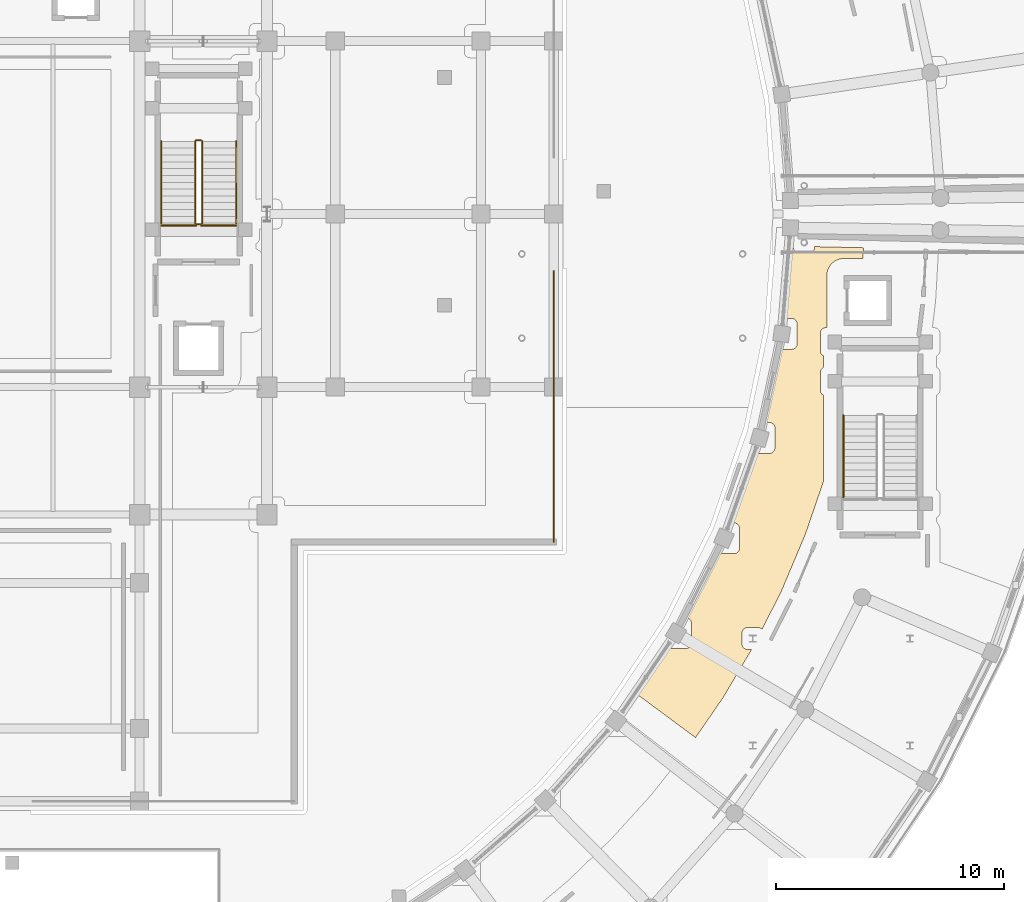
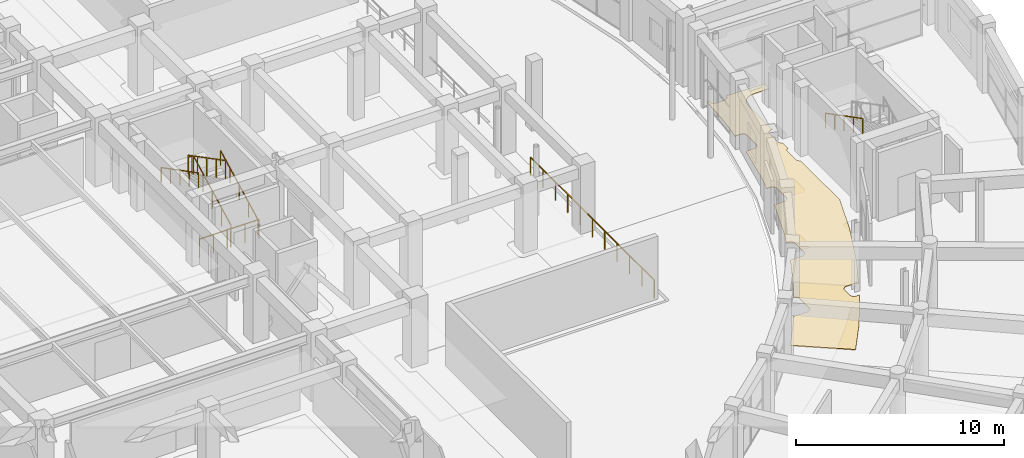
# One storey, part 81 of 87: 10 railings, 1 covering.
"""IFC4 building model written with IfcOpenShell, lengths in metres."""

from ifc_helpers import new_model, si_unit, direction, frame, origin, origin_2d, place, context, subcontext, project, spatial, polyline, rectangle, outline, extrude, material, layer, layer_set, type_object, element, save


model = new_model("IFC4")

# Units and contexts
model_context = context("Model", 3, precision=1e-05, world=origin(), true_north=direction((0.0, 1.0)))
body_context = subcontext(model_context, "Body", "Model", "MODEL_VIEW")
ifc_project = project(units=[si_unit("LENGTHUNIT", "METRE"), si_unit("AREAUNIT", "SQUARE_METRE"), si_unit("VOLUMEUNIT", "CUBIC_METRE"), si_unit("PLANEANGLEUNIT", "RADIAN"), si_unit("MASSUNIT", "GRAM", prefix="KILO")], contexts=[model_context])

# Site, building, storey
site_placement = place(None, origin())
site = spatial("IfcSite", under=ifc_project, at=site_placement, CompositionType="ELEMENT")
building_placement = place(site_placement, origin())
building = spatial("IfcBuilding", under=site, at=building_placement, Name="Saryqyr Civic Hall", CompositionType="ELEMENT")
storey_placement = place(building_placement, frame((0.0, 0.0, 5.10009765625)))
storey = spatial("IfcBuildingStorey", under=building, at=storey_placement, Name="L01", CompositionType="ELEMENT", Elevation=5.10009765625)

# Covering
ifc_material_1 = material(Name="Polished terrazzo tile", Category="stone")
ifc_layer_1 = layer(ifc_material_1, 0.030029296875, Name="Polished terrazzo tile")
ifc_layer_set_1 = layer_set([ifc_layer_1], Name="Polished terrazzo tile")
covering_type = type_object("IfcCoveringType", Name="INT-COV-FLR-30", PredefinedType="FLOORING", material=ifc_layer_set_1)
covering_placement = place(storey_placement, origin())
element("IfcCovering", 1, at=covering_placement, inside=storey, type_object=covering_type, Name="Polished terrazzo flooring Exhibition Curatorial Forum", PredefinedType="FLOORING", context=body_context, shape_type="SweptSolid", body=[
    extrude(outline(polyline([(91.938720703125, 65.773193359375), (91.9189453125, 65.787841796875), (91.897705078125, 65.800537109375), (91.875732421875, 65.81103515625), (91.8525390625, 65.819091796875), (91.828857421875, 65.8251953125), (91.804443359375, 65.828857421875), (91.780029296875, 65.830078125), (91.320068359375, 65.830078125), (91.29541015625, 65.828857421875), (91.271240234375, 65.8251953125), (91.247314453125, 65.819091796875), (91.224365234375, 65.81103515625), (91.2021484375, 65.800537109375), (91.18115234375, 65.787841796875), (91.161376953125, 65.773193359375), (91.143310546875, 65.7568359375), (91.126708984375, 65.738525390625), (91.112060546875, 65.718994140625), (91.099609375, 65.69775390625), (91.089111328125, 65.67578125), (91.080810546875, 65.652587890625), (91.07470703125, 65.62890625), (91.0712890625, 65.6044921875), (91.070068359375, 65.580078125), (91.070068359375, 65.1201171875), (91.0712890625, 65.095458984375), (91.07470703125, 65.0712890625), (91.080810546875, 65.04736328125), (91.089111328125, 65.0244140625), (91.099609375, 65.002197265625), (91.112060546875, 64.981201171875), (91.126708984375, 64.96142578125), (91.143310546875, 64.943115234375), (91.161376953125, 64.9267578125), (91.18115234375, 64.912109375), (91.2021484375, 64.8994140625), (91.224365234375, 64.888916015625), (91.247314453125, 64.880859375), (91.271240234375, 64.874755859375), (91.29541015625, 64.87109375), (91.320068359375, 64.8701171875), (91.4931640625, 64.8701171875), (90.233154296875, 62.74365234375), (89.03125, 60.99853515625), (86.475830078125, 62.89013671875), (87.544189453125, 64.44140625), (87.564453125, 64.472900390625), (87.82275390625, 64.908935546875), (88.598388671875, 64.908935546875), (88.623046875, 64.91015625), (88.647216796875, 64.913818359375), (88.671142578125, 64.919921875), (88.694091796875, 64.927978515625), (88.71630859375, 64.9384765625), (88.7373046875, 64.951171875), (88.757080078125, 64.9658203125), (88.775390625, 64.982177734375), (88.791748046875, 65.00048828125), (88.806396484375, 65.02001953125), (88.819091796875, 65.041259765625), (88.82958984375, 65.063232421875), (88.837646484375, 65.08642578125), (88.84375, 65.110107421875), (88.847412109375, 65.134521484375), (88.848388671875, 65.158935546875), (88.848388671875, 66.01904296875), (88.847412109375, 66.04345703125), (88.84375, 66.06787109375), (88.837646484375, 66.091552734375), (88.82958984375, 66.11474609375), (88.819091796875, 66.13671875), (88.806396484375, 66.157958984375), (88.791748046875, 66.177490234375), (88.775390625, 66.19580078125), (88.757080078125, 66.21240234375), (88.7373046875, 66.226806640625), (88.71630859375, 66.239501953125), (88.694091796875, 66.25), (88.671142578125, 66.25830078125), (88.647216796875, 66.26416015625), (88.627685546875, 66.26708984375), (88.805908203125, 66.56787109375), (88.823974609375, 66.6005859375), (89.919677734375, 68.775390625), (89.935302734375, 68.809326171875), (90.049072265625, 69.07958984375), (90.71142578125, 69.07958984375), (90.73583984375, 69.080810546875), (90.76025390625, 69.08447265625), (90.783935546875, 69.09033203125), (90.80712890625, 69.0986328125), (90.8291015625, 69.109130859375), (90.850341796875, 69.12158203125), (90.8701171875, 69.13623046875), (90.88818359375, 69.15283203125), (90.90478515625, 69.1708984375), (90.919189453125, 69.190673828125), (90.931884765625, 69.2119140625), (90.9423828125, 69.23388671875), (90.95068359375, 69.257080078125), (90.95654296875, 69.28076171875), (90.960205078125, 69.30517578125), (90.96142578125, 69.32958984375), (90.96142578125, 70.189697265625), (90.960205078125, 70.214111328125), (90.95654296875, 70.23828125), (90.95068359375, 70.26220703125), (90.9423828125, 70.285400390625), (90.931884765625, 70.307373046875), (90.919189453125, 70.32861328125), (90.90478515625, 70.34814453125), (90.88818359375, 70.366455078125), (90.8701171875, 70.3828125), (90.850341796875, 70.3974609375), (90.8291015625, 70.41015625), (90.80712890625, 70.420654296875), (90.783935546875, 70.4287109375), (90.76025390625, 70.434814453125), (90.73583984375, 70.4384765625), (90.71142578125, 70.439697265625), (90.621826171875, 70.439697265625), (90.88037109375, 71.053466796875), (90.893798828125, 71.088623046875), (91.683837890625, 73.39208984375), (91.694580078125, 73.427734375), (91.710693359375, 73.48779296875), (92.269287109375, 73.48779296875), (92.293701171875, 73.489013671875), (92.318115234375, 73.49267578125), (92.341796875, 73.49853515625), (92.364990234375, 73.5068359375), (92.386962890625, 73.517333984375), (92.408203125, 73.52978515625), (92.427734375, 73.54443359375), (92.446044921875, 73.56103515625), (92.46240234375, 73.5791015625), (92.47705078125, 73.598876953125), (92.48974609375, 73.6201171875), (92.500244140625, 73.64208984375), (92.50830078125, 73.665283203125), (92.514404296875, 73.68896484375), (92.51806640625, 73.71337890625), (92.519287109375, 73.73779296875), (92.519287109375, 74.597900390625), (92.51806640625, 74.622314453125), (92.514404296875, 74.646484375), (92.50830078125, 74.67041015625), (92.500244140625, 74.693603515625), (92.48974609375, 74.715576171875), (92.47705078125, 74.73681640625), (92.46240234375, 74.75634765625), (92.446044921875, 74.774658203125), (92.427734375, 74.791015625), (92.408203125, 74.8056640625), (92.386962890625, 74.818359375), (92.364990234375, 74.828857421875), (92.341796875, 74.8369140625), (92.318115234375, 74.843017578125), (92.293701171875, 74.8466796875), (92.269287109375, 74.847900390625), (92.07568359375, 74.847900390625), (92.325927734375, 75.779541015625), (92.33447265625, 75.816162109375), (92.775390625, 78.059814453125), (93.245849609375, 78.059814453125), (93.270263671875, 78.06103515625), (93.294677734375, 78.064697265625), (93.318359375, 78.07080078125), (93.341552734375, 78.078857421875), (93.363525390625, 78.08935546875), (93.384765625, 78.10205078125), (93.404296875, 78.11669921875), (93.422607421875, 78.133056640625), (93.439208984375, 78.1513671875), (93.45361328125, 78.1708984375), (93.46630859375, 78.192138671875), (93.476806640625, 78.214111328125), (93.485107421875, 78.2373046875), (93.490966796875, 78.260986328125), (93.49462890625, 78.285400390625), (93.495849609375, 78.309814453125), (93.495849609375, 79.169921875), (93.49462890625, 79.1943359375), (93.490966796875, 79.21875), (93.485107421875, 79.242431640625), (93.476806640625, 79.265625), (93.46630859375, 79.28759765625), (93.45361328125, 79.308837890625), (93.439208984375, 79.32861328125), (93.422607421875, 79.3466796875), (93.404296875, 79.36328125), (93.384765625, 79.377685546875), (93.363525390625, 79.390380859375), (93.341552734375, 79.40087890625), (93.318359375, 79.4091796875), (93.294677734375, 79.4150390625), (93.270263671875, 79.418701171875), (93.245849609375, 79.419921875), (92.958740234375, 79.419921875), (93.115478515625, 80.658447265625), (93.118896484375, 80.69580078125), (93.228515625, 82.595947265625), (93.33349609375, 82.593505859375), (93.33349609375, 82.533447265625), (93.334716796875, 82.509033203125), (93.33837890625, 82.484619140625), (93.34423828125, 82.4609375), (93.3525390625, 82.437744140625), (93.363037109375, 82.415771484375), (93.37548828125, 82.39453125), (93.39013671875, 82.375), (93.40673828125, 82.356689453125), (93.4248046875, 82.340087890625), (93.444580078125, 82.32568359375), (93.4658203125, 82.31298828125), (93.48779296875, 82.302490234375), (93.510986328125, 82.294189453125), (93.53466796875, 82.288330078125), (93.55908203125, 82.28466796875), (93.58349609375, 82.283447265625), (94.0166015625, 82.283447265625), (94.041015625, 82.28466796875), (94.065185546875, 82.288330078125), (94.089111328125, 82.294189453125), (94.1123046875, 82.302490234375), (94.13427734375, 82.31298828125), (94.155517578125, 82.32568359375), (94.175048828125, 82.340087890625), (94.193359375, 82.356689453125), (94.209716796875, 82.375), (94.224365234375, 82.39453125), (94.237060546875, 82.415771484375), (94.24755859375, 82.437744140625), (94.255615234375, 82.4609375), (94.26171875, 82.484619140625), (94.265380859375, 82.509033203125), (94.2666015625, 82.533447265625), (94.2666015625, 82.571533203125), (96.406982421875, 82.521240234375), (96.3798828125, 82.050048828125), (95.550048828125, 82.050048828125), (95.530517578125, 82.049560546875), (95.49609375, 82.0478515625), (95.45703125, 82.0439453125), (95.423095703125, 82.038818359375), (95.384521484375, 82.03125), (95.351318359375, 82.02294921875), (95.313720703125, 82.011474609375), (95.28125, 82.0), (95.2451171875, 81.985107421875), (95.214111328125, 81.97021484375), (95.179443359375, 81.951904296875), (95.14990234375, 81.93408203125), (95.1171875, 81.912353515625), (95.089599609375, 81.891845703125), (95.059326171875, 81.866943359375), (95.033935546875, 81.843994140625), (95.006103515625, 81.816162109375), (94.983154296875, 81.790771484375), (94.958251953125, 81.76025390625), (94.937744140625, 81.732666015625), (94.916015625, 81.7001953125), (94.898193359375, 81.670654296875), (94.879638671875, 81.635986328125), (94.864990234375, 81.60498046875), (94.85009765625, 81.568603515625), (94.83837890625, 81.536376953125), (94.8271484375, 81.498779296875), (94.818603515625, 81.465576171875), (94.81103515625, 81.427001953125), (94.805908203125, 81.39306640625), (94.80224609375, 81.35400390625), (94.800537109375, 81.319580078125), (94.800048828125, 81.300048828125), (94.800048828125, 79.10009765625), (94.800537109375, 79.080322265625), (94.80224609375, 79.046142578125), (94.8056640625, 79.010009765625), (94.760009765625, 79.010009765625), (94.735595703125, 79.0087890625), (94.711181640625, 79.005126953125), (94.6875, 78.999267578125), (94.664306640625, 78.990966796875), (94.64208984375, 78.98046875), (94.62109375, 78.968017578125), (94.601318359375, 78.953369140625), (94.583251953125, 78.936767578125), (94.566650390625, 78.918701171875), (94.552001953125, 78.89892578125), (94.53955078125, 78.877685546875), (94.529052734375, 78.855712890625), (94.520751953125, 78.83251953125), (94.514892578125, 78.808837890625), (94.51123046875, 78.784423828125), (94.510009765625, 78.760009765625), (94.510009765625, 78.0), (94.51123046875, 77.9755859375), (94.514892578125, 77.951171875), (94.520751953125, 77.927490234375), (94.529052734375, 77.904296875), (94.53955078125, 77.882080078125), (94.552001953125, 77.861083984375), (94.566650390625, 77.84130859375), (94.583251953125, 77.8232421875), (94.601318359375, 77.806640625), (94.62109375, 77.7919921875), (94.64208984375, 77.779541015625), (94.659912109375, 77.77099609375), (94.659912109375, 77.2587890625), (94.64208984375, 77.25048828125), (94.62109375, 77.23779296875), (94.601318359375, 77.223388671875), (94.583251953125, 77.206787109375), (94.566650390625, 77.188720703125), (94.552001953125, 77.1689453125), (94.53955078125, 77.147705078125), (94.529052734375, 77.125732421875), (94.520751953125, 77.1025390625), (94.514892578125, 77.078857421875), (94.51123046875, 77.054443359375), (94.510009765625, 77.030029296875), (94.510009765625, 76.27001953125), (94.51123046875, 76.24560546875), (94.514892578125, 76.22119140625), (94.520751953125, 76.197509765625), (94.529052734375, 76.17431640625), (94.53955078125, 76.152099609375), (94.552001953125, 76.131103515625), (94.566650390625, 76.111328125), (94.583251953125, 76.09326171875), (94.601318359375, 76.07666015625), (94.62109375, 76.06201171875), (94.64208984375, 76.049560546875), (94.659912109375, 76.041015625), (94.659912109375, 72.275634765625), (93.858154296875, 69.9375), (92.814453125, 67.458984375), (91.956787109375, 65.7568359375), (91.938720703125, 65.773193359375)])), origin(), (0.0, 0.0, 1.0), 0.02978515625),
])

# Railings
ifc_material_2 = material(Name="Warm brushed brass and laminated glass", Category="glass")
ifc_layer_2 = layer(ifc_material_2, 0.06005859375, Name="Warm brushed brass and laminated glass")
ifc_layer_set_2 = layer_set([ifc_layer_2], Name="Warm brushed brass and laminated glass")
railing_type_1 = type_object("IfcRailingType", Name="INT-RLG-BAL-1100", PredefinedType="BALUSTRADE", material=ifc_layer_set_2)
railing_1_placement = place(storey_placement, frame((82.800048828125, 69.60009765625, 0.0)))
element("IfcRailing", 2, at=railing_1_placement, inside=storey, type_object=railing_type_1, Name="Perimeter safety balustrade V1-JNTGA-L01-08-G01", PredefinedType="BALUSTRADE", context=body_context, shape_type="SweptSolid", body=[
    extrude(rectangle(XDim=0.048095703125, YDim=0.048095703125, at=origin_2d()), frame((0.0, 0.0, 1.076171875), z_axis=(0.0, 1.0, 0.0), x_axis=(-1.0, 0.0, 0.0)), (0.0, 0.0, 1.0), 11.89990234375),
    extrude(rectangle(XDim=0.0419921875, YDim=0.0419921875, at=origin_2d()), origin(), (0.0, 0.0, 1.0), 1.052001953125),
    extrude(rectangle(XDim=0.0419921875, YDim=0.0419921875, at=origin_2d()), frame((0.0, 1.18994140625, 0.0)), (0.0, 0.0, 1.0), 1.052001953125),
    extrude(rectangle(XDim=0.0419921875, YDim=0.0419921875, at=origin_2d()), frame((0.0, 2.3798828125, 0.0)), (0.0, 0.0, 1.0), 1.052001953125),
    extrude(rectangle(XDim=0.0419921875, YDim=0.0419921875, at=origin_2d()), frame((0.0, 3.570068359375, 0.0)), (0.0, 0.0, 1.0), 1.052001953125),
    extrude(rectangle(XDim=0.0419921875, YDim=0.0419921875, at=origin_2d()), frame((0.0, 4.760009765625, 0.0)), (0.0, 0.0, 1.0), 1.052001953125),
    extrude(rectangle(XDim=0.0419921875, YDim=0.0419921875, at=origin_2d()), frame((0.0, 5.949951171875, 0.0)), (0.0, 0.0, 1.0), 1.052001953125),
    extrude(rectangle(XDim=0.0419921875, YDim=0.0419921875, at=origin_2d()), frame((0.0, 7.139892578125, 0.0)), (0.0, 0.0, 1.0), 1.052001953125),
    extrude(rectangle(XDim=0.0419921875, YDim=0.0419921875, at=origin_2d()), frame((0.0, 8.329833984375, 0.0)), (0.0, 0.0, 1.0), 1.052001953125),
    extrude(rectangle(XDim=0.0419921875, YDim=0.0419921875, at=origin_2d()), frame((0.0, 9.52001953125, 0.0)), (0.0, 0.0, 1.0), 1.052001953125),
    extrude(rectangle(XDim=0.0419921875, YDim=0.0419921875, at=origin_2d()), frame((0.0, 10.7099609375, 0.0)), (0.0, 0.0, 1.0), 1.052001953125),
    extrude(rectangle(XDim=0.0419921875, YDim=0.0419921875, at=origin_2d()), frame((0.0, 11.89990234375, 0.0)), (0.0, 0.0, 1.0), 1.052001953125),
])
railing_2_placement = place(storey_placement, frame((67.35009765625, 83.60009765625, 0.15576171875)))
element("IfcRailing", 3, at=railing_2_placement, inside=storey, type_object=railing_type_1, Name="L01 ST-2 stair guard 1", PredefinedType="BALUSTRADE", context=body_context, shape_type="SweptSolid", body=[
    extrude(rectangle(XDim=0.048095703125, YDim=0.048095703125, at=origin_2d()), frame((0.0, 0.0, 1.076171875), z_axis=(0.0, 0.887497496945, 0.460812535545), x_axis=(-1.0, 0.0, 0.0)), (0.0, 0.0, 1.0), 4.05615234375),
    extrude(rectangle(XDim=0.0419921875, YDim=0.0419921875, at=origin_2d()), origin(), (0.0, 0.0, 1.0), 1.052001953125),
    extrude(rectangle(XDim=0.0419921875, YDim=0.0419921875, at=origin_2d()), frame((0.0, 0.89990234375, 0.46728515625)), (0.0, 0.0, 1.0), 1.052001953125),
    extrude(rectangle(XDim=0.0419921875, YDim=0.0419921875, at=origin_2d()), frame((0.0, 1.7998046875, 0.9345703125)), (0.0, 0.0, 1.0), 1.052001953125),
    extrude(rectangle(XDim=0.0419921875, YDim=0.0419921875, at=origin_2d()), frame((0.0, 2.699951171875, 1.40185546875)), (0.0, 0.0, 1.0), 1.052001953125),
    extrude(rectangle(XDim=0.0419921875, YDim=0.0419921875, at=origin_2d()), frame((0.0, 3.599853515625, 1.869140625)), (0.0, 0.0, 1.0), 1.052001953125),
])
railing_3_placement = place(storey_placement, frame((67.300048828125, 87.25, 2.02490234375)))
element("IfcRailing", 4, at=railing_3_placement, inside=storey, type_object=railing_type_1, Name="L01 ST-2 stair guard 2", PredefinedType="BALUSTRADE", context=body_context, shape_type="SweptSolid", body=[
    extrude(rectangle(XDim=0.048095703125, YDim=0.048095703125, at=origin_2d()), frame((0.0, 0.0, 1.076171875), z_axis=(-1.0, 0.0, 0.0), x_axis=(0.0, -1.0, 0.0)), (0.0, 0.0, 1.0), 0.199951171875),
    extrude(rectangle(XDim=0.0419921875, YDim=0.0419921875, at=origin_2d()), origin(), (0.0, 0.0, 1.0), 1.052001953125),
    extrude(rectangle(XDim=0.0419921875, YDim=0.0419921875, at=origin_2d()), frame((-0.199951171875, 0.0, 0.0)), (0.0, 0.0, 1.0), 1.052001953125),
])
railing_4_placement = place(storey_placement, frame((67.050048828125, 87.199951171875, 2.1806640625)))
element("IfcRailing", 5, at=railing_4_placement, inside=storey, type_object=railing_type_1, Name="L01 ST-2 stair guard 3", PredefinedType="BALUSTRADE", context=body_context, shape_type="SweptSolid", body=[
    extrude(rectangle(XDim=0.048095703125, YDim=0.048095703125, at=origin_2d()), frame((0.0, 0.0, 1.076171875), z_axis=(0.0, -0.887497496945, 0.460812535545), x_axis=(1.0, 0.0, 0.0)), (0.0, 0.0, 1.0), 4.05615234375),
    extrude(rectangle(XDim=0.0419921875, YDim=0.0419921875, at=origin_2d()), origin(), (0.0, 0.0, 1.0), 1.052001953125),
    extrude(rectangle(XDim=0.0419921875, YDim=0.0419921875, at=origin_2d()), frame((0.0, -0.89990234375, 0.46728515625)), (0.0, 0.0, 1.0), 1.052001953125),
    extrude(rectangle(XDim=0.0419921875, YDim=0.0419921875, at=origin_2d()), frame((0.0, -1.7998046875, 0.9345703125)), (0.0, 0.0, 1.0), 1.052001953125),
    extrude(rectangle(XDim=0.0419921875, YDim=0.0419921875, at=origin_2d()), frame((0.0, -2.699951171875, 1.40185546875)), (0.0, 0.0, 1.0), 1.052001953125),
    extrude(rectangle(XDim=0.0419921875, YDim=0.0419921875, at=origin_2d()), frame((0.0, -3.599853515625, 1.869140625)), (0.0, 0.0, 1.0), 1.052001953125),
])
railing_5_placement = place(storey_placement, frame((67.300048828125, 83.550048828125, 0.0)))
element("IfcRailing", 6, at=railing_5_placement, inside=storey, type_object=railing_type_1, Name="L01 ST-2 stair guard 4", PredefinedType="BALUSTRADE", context=body_context, shape_type="SweptSolid", body=[
    extrude(rectangle(XDim=0.048095703125, YDim=0.048095703125, at=origin_2d()), frame((0.0, 0.0, 1.076171875), z_axis=(-1.0, 0.0, 0.0), x_axis=(0.0, -1.0, 0.0)), (0.0, 0.0, 1.0), 0.199951171875),
    extrude(rectangle(XDim=0.0419921875, YDim=0.0419921875, at=origin_2d()), origin(), (0.0, 0.0, 1.0), 1.052001953125),
    extrude(rectangle(XDim=0.0419921875, YDim=0.0419921875, at=origin_2d()), frame((-0.199951171875, 0.0, 0.0)), (0.0, 0.0, 1.0), 1.052001953125),
])
railing_6_placement = place(storey_placement, frame((65.544921875, 83.5, 0.0)))
element("IfcRailing", 7, at=railing_6_placement, inside=storey, type_object=railing_type_1, Name="Interior deck safety balustrade L01-062", PredefinedType="BALUSTRADE", context=body_context, shape_type="SweptSolid", body=[
    extrude(rectangle(XDim=0.048095703125, YDim=0.048095703125, at=origin_2d()), frame((0.0, 0.0, 1.09619140625), z_axis=(1.0, 0.0, 0.0), x_axis=(0.0, 1.0, 0.0)), (0.0, 0.0, 1.0), 1.55517578125),
    extrude(rectangle(XDim=0.0419921875, YDim=0.0419921875, at=origin_2d()), origin(), (0.0, 0.0, 1.0), 1.072021484375),
    extrude(rectangle(XDim=0.0419921875, YDim=0.0419921875, at=origin_2d()), frame((0.777587890625, 0.0, 0.0)), (0.0, 0.0, 1.0), 1.072021484375),
    extrude(rectangle(XDim=0.0419921875, YDim=0.0419921875, at=origin_2d()), frame((1.55517578125, 0.0, 0.0)), (0.0, 0.0, 1.0), 1.072021484375),
])
railing_7_placement = place(storey_placement, frame((67.300048828125, 83.5, 0.0)))
element("IfcRailing", 8, at=railing_7_placement, inside=storey, type_object=railing_type_1, Name="Interior deck safety balustrade L01-063", PredefinedType="BALUSTRADE", context=body_context, shape_type="SweptSolid", body=[
    extrude(rectangle(XDim=0.048095703125, YDim=0.048095703125, at=origin_2d()), frame((0.0, 0.0, 1.09619140625), z_axis=(1.0, 0.0, 0.0), x_axis=(0.0, 1.0, 0.0)), (0.0, 0.0, 1.0), 1.554931640625),
    extrude(rectangle(XDim=0.0419921875, YDim=0.0419921875, at=origin_2d()), origin(), (0.0, 0.0, 1.0), 1.072021484375),
    extrude(rectangle(XDim=0.0419921875, YDim=0.0419921875, at=origin_2d()), frame((0.77734375, 0.0, 0.0)), (0.0, 0.0, 1.0), 1.072021484375),
    extrude(rectangle(XDim=0.0419921875, YDim=0.0419921875, at=origin_2d()), frame((1.554931640625, 0.0, 0.0)), (0.0, 0.0, 1.0), 1.072021484375),
])
ifc_material_3 = material(Name="Stainless steel", Category="steel")
ifc_layer_3 = layer(ifc_material_3, 0.050048828125, Name="Stainless steel")
ifc_layer_set_3 = layer_set([ifc_layer_3], Name="Stainless steel")
railing_type_2 = type_object("IfcRailingType", Name="INT-RLG-HND-900", PredefinedType="HANDRAIL", material=ifc_layer_set_3)
railing_8_placement = place(storey_placement, frame((68.85009765625, 83.60009765625, 0.15576171875)))
element("IfcRailing", 9, at=railing_8_placement, inside=storey, type_object=railing_type_2, Name="L01 ST-2 stair handrail 1", PredefinedType="HANDRAIL", context=body_context, shape_type="SweptSolid", body=[
    extrude(rectangle(XDim=0.048095703125, YDim=0.048095703125, at=origin_2d()), frame((0.0, 0.0, 0.8759765625), z_axis=(0.0, 0.887497496945, 0.460812535545), x_axis=(-1.0, 0.0, 0.0)), (0.0, 0.0, 1.0), 4.05615234375),
    extrude(rectangle(XDim=0.0419921875, YDim=0.0419921875, at=origin_2d()), origin(), (0.0, 0.0, 1.0), 0.851806640625),
    extrude(rectangle(XDim=0.0419921875, YDim=0.0419921875, at=origin_2d()), frame((0.0, 0.89990234375, 0.46728515625)), (0.0, 0.0, 1.0), 0.851806640625),
    extrude(rectangle(XDim=0.0419921875, YDim=0.0419921875, at=origin_2d()), frame((0.0, 1.7998046875, 0.9345703125)), (0.0, 0.0, 1.0), 0.851806640625),
    extrude(rectangle(XDim=0.0419921875, YDim=0.0419921875, at=origin_2d()), frame((0.0, 2.699951171875, 1.40185546875)), (0.0, 0.0, 1.0), 0.851806640625),
    extrude(rectangle(XDim=0.0419921875, YDim=0.0419921875, at=origin_2d()), frame((0.0, 3.599853515625, 1.869140625)), (0.0, 0.0, 1.0), 0.851806640625),
])
for number, where, name in (
    (10, (65.550048828125, 87.199951171875, 2.1806640625), "L01 ST-2 stair handrail 2"),
    (11, (95.530029296875, 75.159912109375, 2.1806640625), "L01 ST-5 stair handrail 2"),
):
    element("IfcRailing", number, at=place(storey_placement, frame(where)), inside=storey, type_object=railing_type_2, Name=name, PredefinedType="HANDRAIL", context=body_context, shape_type="SweptSolid", body=[
        extrude(rectangle(XDim=0.048095703125, YDim=0.048095703125, at=origin_2d()), frame((0.0, 0.0, 0.8759765625), z_axis=(0.0, -0.887497496945, 0.460812535545), x_axis=(1.0, 0.0, 0.0)), (0.0, 0.0, 1.0), 4.05615234375),
        extrude(rectangle(XDim=0.0419921875, YDim=0.0419921875, at=origin_2d()), origin(), (0.0, 0.0, 1.0), 0.851806640625),
        extrude(rectangle(XDim=0.0419921875, YDim=0.0419921875, at=origin_2d()), frame((0.0, -0.89990234375, 0.46728515625)), (0.0, 0.0, 1.0), 0.851806640625),
        extrude(rectangle(XDim=0.0419921875, YDim=0.0419921875, at=origin_2d()), frame((0.0, -1.7998046875, 0.9345703125)), (0.0, 0.0, 1.0), 0.851806640625),
        extrude(rectangle(XDim=0.0419921875, YDim=0.0419921875, at=origin_2d()), frame((0.0, -2.699951171875, 1.40185546875)), (0.0, 0.0, 1.0), 0.851806640625),
        extrude(rectangle(XDim=0.0419921875, YDim=0.0419921875, at=origin_2d()), frame((0.0, -3.599853515625, 1.869140625)), (0.0, 0.0, 1.0), 0.851806640625),
    ])

save(model, "model.ifc")
